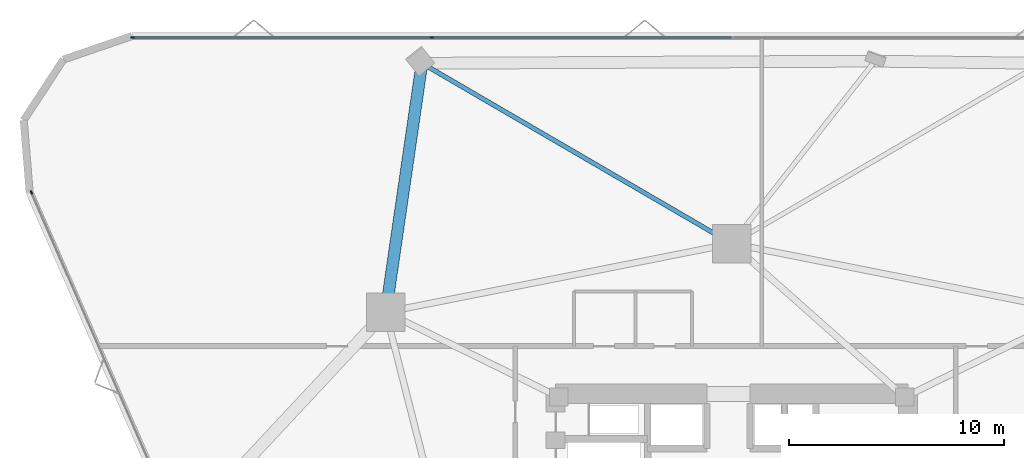
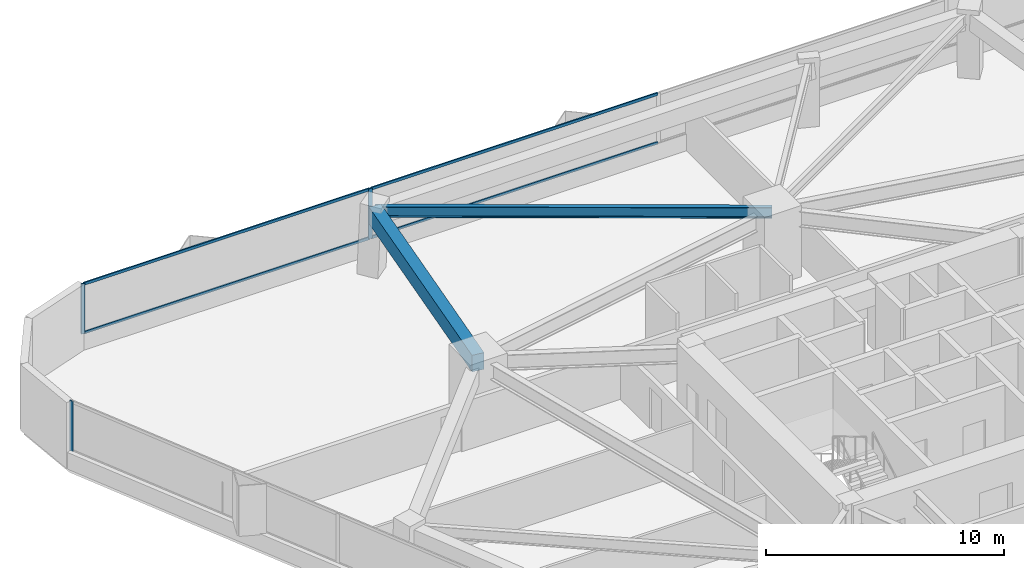
# One storey, part 12 of 20: 7 members, 2 beams, 2 elements without a shape of their own.
"""IFC4 building model written with IfcOpenShell, lengths in metres."""

from ifc_helpers import new_model, si_unit, direction, frame, origin, origin_2d, place, context, subcontext, project, spatial, rectangle, i_section, extrude, material, layer, layer_set, material_profile, profile_set, type_object, element, aggregate, save


model = new_model("IFC4")

# Units and contexts
model_context = context("Model", 3, precision=1e-05, world=origin(), true_north=direction((0.0, 1.0)))
body_context = subcontext(model_context, "Body", "Model", "MODEL_VIEW")
ifc_project = project(units=[si_unit("LENGTHUNIT", "METRE"), si_unit("AREAUNIT", "SQUARE_METRE"), si_unit("VOLUMEUNIT", "CUBIC_METRE"), si_unit("PLANEANGLEUNIT", "RADIAN"), si_unit("MASSUNIT", "GRAM", prefix="KILO")], contexts=[model_context])

# Site, building, storey
site_placement = place(None, origin())
site = spatial("IfcSite", under=ifc_project, at=site_placement, CompositionType="ELEMENT")
building_placement = place(site_placement, origin())
building = spatial("IfcBuilding", under=site, at=building_placement, Name="Talyreon Biosciences Tower", CompositionType="ELEMENT")
storey_placement = place(building_placement, frame((0.0, 0.0, 59.300048828125)))
storey = spatial("IfcBuildingStorey", under=building, at=storey_placement, Name="L15", CompositionType="ELEMENT", Elevation=59.300048828125)

# Curtain wall, member
ifc_material_1 = material(Name="Thermally broken aluminium and low-E glazing", Category="aluminium")
ifc_layer = layer(ifc_material_1, 0.195068359375)
ifc_layer_set = layer_set([ifc_layer], Name="Thermally broken aluminium and low-E glazing")
curtain_wall_type = type_object("IfcCurtainWallType", Name="CurtainWall_Zone1WetLab", PredefinedType="NOTDEFINED", material=ifc_layer_set)
curtain_wall_1_placement = place(storey_placement, origin())
curtain_wall_1 = element("IfcCurtainWall", 1, at=curtain_wall_1_placement, inside=storey, type_object=curtain_wall_type, Name="L15 Unitised Curtain Wall FCW-L15-00", PredefinedType="NOTDEFINED")
ifc_material_2 = material(Name="Anodised thermally broken aluminium", Category="aluminium")
ifc_material_profile_1 = material_profile(ifc_material_2, rectangle(XDim=0.06494140625, YDim=0.179931640625, at=origin_2d()), Name="ALUM MULLION 65x180")
ifc_profile_set_1 = profile_set([ifc_material_profile_1], Name="Anodised thermally broken aluminium")
member_type_1 = type_object("IfcMemberType", Name="CWMullion_65x180", PredefinedType="MULLION", material=ifc_profile_set_1)
member_1_placement = place(storey_placement, frame((33.4072265625, 84.171142578125, 0.81005859375), z_axis=(0.0, 0.0, 1.0), x_axis=(-0.916092182361, -0.400967721165, 0.0)))
member_1 = element("IfcMember", 2, at=member_1_placement, type_object=member_type_1, Name="CW2 mullion 6", PredefinedType="MULLION", context=body_context, shape_type="SweptSolid", body=[
    extrude(rectangle(XDim=0.06494140625, YDim=0.179931640625, at=origin_2d()), origin(), (0.0, 0.0, 1.0), 2.56494140625),
])
aggregate(curtain_wall_1, [member_1])

# Curtain wall, members
curtain_wall_2_placement = place(storey_placement, origin())
curtain_wall_2 = element("IfcCurtainWall", 3, at=curtain_wall_2_placement, inside=storey, type_object=curtain_wall_type, Name="L15 Unitised Curtain Wall FCW-L15-04", PredefinedType="NOTDEFINED")
member_2_placement = place(storey_placement, frame((38.1171875, 91.373779296875, 0.81005859375), z_axis=(0.0, 0.0, 1.0), x_axis=(0.0, 1.0, 0.0)))
member_2 = element("IfcMember", 4, at=member_2_placement, type_object=member_type_1, Name="CW2 mullion 1", PredefinedType="MULLION", context=body_context, shape_type="SweptSolid", body=[
    extrude(rectangle(XDim=0.06494140625, YDim=0.179931640625, at=origin_2d()), origin(), (0.0, 0.0, 1.0), 2.56494140625),
])
member_3_placement = place(storey_placement, frame((52.042236328125, 91.373779296875, 0.81005859375), z_axis=(0.0, 0.0, 1.0), x_axis=(0.0, 1.0, 0.0)))
member_3 = element("IfcMember", 5, at=member_3_placement, type_object=member_type_1, Name="CW2 mullion 2", PredefinedType="MULLION", context=body_context, shape_type="SweptSolid", body=[
    extrude(rectangle(XDim=0.06494140625, YDim=0.179931640625, at=origin_2d()), origin(), (0.0, 0.0, 1.0), 2.56494140625),
])
ifc_material_profile_2 = material_profile(ifc_material_2, rectangle(XDim=0.06494140625, YDim=0.139892578125, at=origin_2d()), Name="ALUM TRANSOM 65x140")
ifc_profile_set_2 = profile_set([ifc_material_profile_2], Name="Anodised thermally broken aluminium")
member_type_2 = type_object("IfcMemberType", Name="CWTransom_65x140", PredefinedType="USERDEFINED", material=ifc_profile_set_2)
member_4_placement = place(storey_placement, frame((38.149658203125, 91.373779296875, 0.842529296875), z_axis=(1.0, 0.0, 0.0), x_axis=(0.0, 1.0, 0.0)))
member_4 = element("IfcMember", 6, at=member_4_placement, type_object=member_type_2, Name="CW2 transom 1.1", ObjectType="TRANSOM", PredefinedType="USERDEFINED", context=body_context, shape_type="SweptSolid", body=[
    extrude(rectangle(XDim=0.06494140625, YDim=0.139892578125, at=origin_2d()), origin(), (0.0, 0.0, 1.0), 13.860107421875),
])
member_5_placement = place(storey_placement, frame((38.149658203125, 91.373779296875, 3.342529296875), z_axis=(1.0, 0.0, 0.0), x_axis=(0.0, 1.0, 0.0)))
member_5 = element("IfcMember", 7, at=member_5_placement, type_object=member_type_2, Name="CW2 transom 1.2", ObjectType="TRANSOM", PredefinedType="USERDEFINED", context=body_context, shape_type="SweptSolid", body=[
    extrude(rectangle(XDim=0.06494140625, YDim=0.139892578125, at=origin_2d()), origin(), (0.0, 0.0, 1.0), 13.860107421875),
])
member_6_placement = place(storey_placement, frame((52.07470703125, 91.373779296875, 0.842529296875), z_axis=(1.0, 0.0, 0.0), x_axis=(0.0, 1.0, 0.0)))
member_6 = element("IfcMember", 8, at=member_6_placement, type_object=member_type_2, Name="CW2 transom 2.1", ObjectType="TRANSOM", PredefinedType="USERDEFINED", context=body_context, shape_type="SweptSolid", body=[
    extrude(rectangle(XDim=0.06494140625, YDim=0.139892578125, at=origin_2d()), origin(), (0.0, 0.0, 1.0), 13.892822265625),
])
member_7_placement = place(storey_placement, frame((52.07470703125, 91.373779296875, 3.342529296875), z_axis=(1.0, 0.0, 0.0), x_axis=(0.0, 1.0, 0.0)))
member_7 = element("IfcMember", 9, at=member_7_placement, type_object=member_type_2, Name="CW2 transom 2.2", ObjectType="TRANSOM", PredefinedType="USERDEFINED", context=body_context, shape_type="SweptSolid", body=[
    extrude(rectangle(XDim=0.06494140625, YDim=0.139892578125, at=origin_2d()), origin(), (0.0, 0.0, 1.0), 13.892822265625),
])
aggregate(curtain_wall_2, [member_2, member_3, member_4, member_5, member_6, member_7])

# Beams
ifc_material_3 = material(Name="Precast concrete C45/55", Category="concrete")
ifc_material_profile_3 = material_profile(ifc_material_3, rectangle(XDim=0.550048828125, YDim=0.85009765625, at=origin_2d()), Name="RCB 550x850")
ifc_profile_set_3 = profile_set([ifc_material_profile_3], Name="Precast concrete C45/55")
beam_type_1 = type_object("IfcBeamType", Name="ExpressedSpandrel_550x850", PredefinedType="SPANDREL", material=ifc_profile_set_3)
beam_1_placement = place(storey_placement, frame((51.58203125, 90.181640625, 2.949951171875), z_axis=(-0.143900107824, -0.989592218526, 0.0), x_axis=(0.989592218526, -0.143900107824, 0.0)))
element("IfcBeam", 10, at=beam_1_placement, inside=storey, type_object=beam_type_1, Name="L15 Expressed Horizontal Concrete Spandrel 08", PredefinedType="SPANDREL", context=body_context, shape_type="SweptSolid", body=[
    extrude(rectangle(XDim=0.550048828125, YDim=0.85009765625, at=origin_2d()), origin(), (0.0, 0.0, 1.0), 11.704833984375),
])
ifc_material_4 = material(Name="Steel SM355", Category="steel")
ifc_material_profile_4 = material_profile(ifc_material_4, i_section(OverallWidth=0.2099609375, OverallDepth=0.550048828125, WebThickness=0.010986328125, FlangeThickness=0.01708984375, FilletRadius=0.02392578125, at=origin_2d()), Name="IPE550")
ifc_profile_set_4 = profile_set([ifc_material_profile_4], Name="Steel SM355")
beam_type_2 = type_object("IfcBeamType", Name="SteelJoist_IPE550", PredefinedType="JOIST", material=ifc_profile_set_4)
beam_2_placement = place(storey_placement, frame((66.0, 81.788818359375, 3.099853515625), z_axis=(-0.864239252771, 0.503081021277, 0.0), x_axis=(-0.503081021277, -0.864239252771, 0.0)))
element("IfcBeam", 11, at=beam_2_placement, inside=storey, type_object=beam_type_2, Name="L15 Radial Composite Floor Joist PC-N2", PredefinedType="JOIST", context=body_context, shape_type="SweptSolid", body=[
    extrude(i_section(OverallWidth=0.2099609375, OverallDepth=0.550048828125, WebThickness=0.010986328125, FlangeThickness=0.01708984375, FilletRadius=0.02392578125, at=origin_2d()), origin(), (0.0, 0.0, 1.0), 16.682861328125),
])

save(model, "model.ifc")
